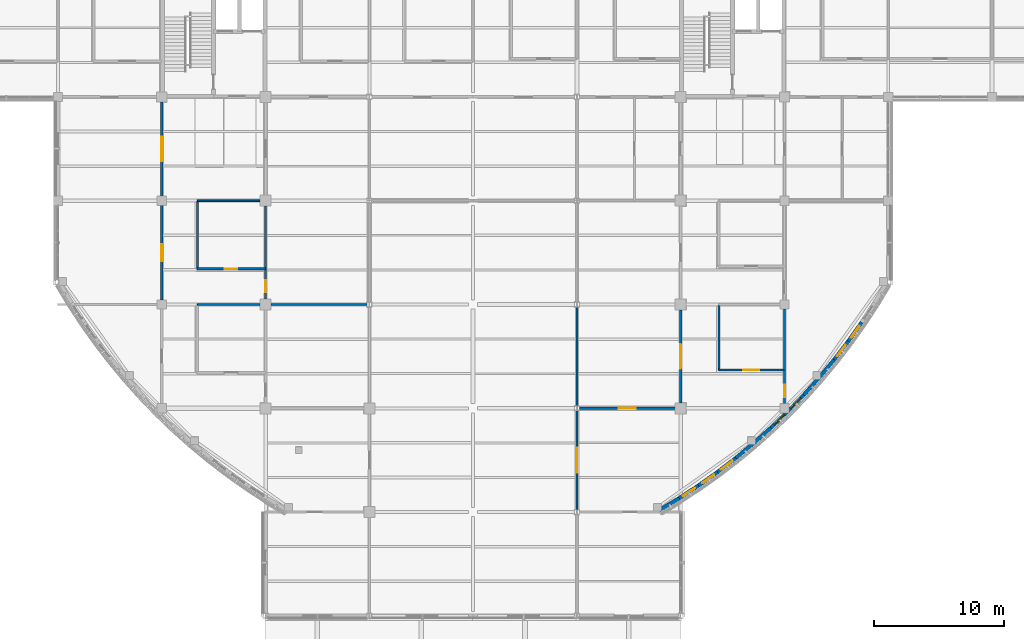
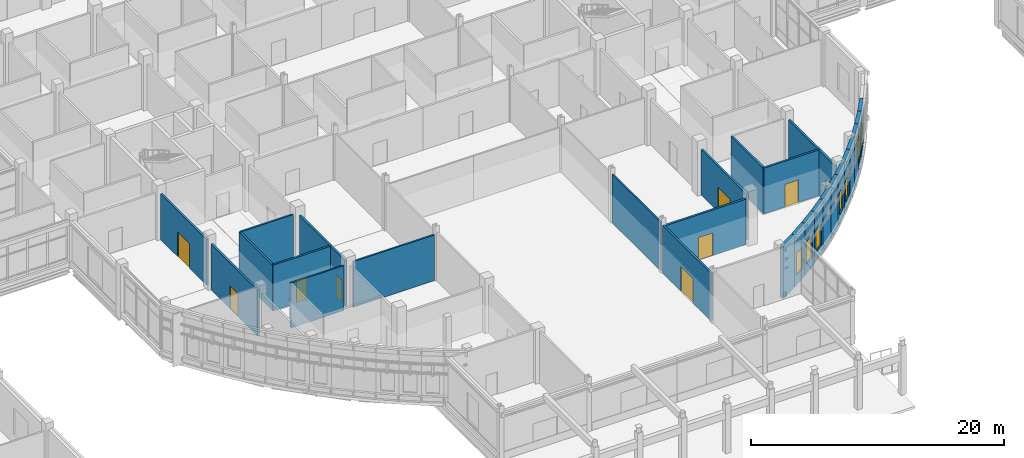
# One storey, part 64 of 105: 27 walls, 9 doors, 7 windows, 16 openings.
"""IFC4 building model written with IfcOpenShell, lengths in metres."""

import ifcopenshell
import ifcopenshell.guid

model = None  # the IFC model being written
_history = None  # IfcOwnerHistory: only IFC2X3 demands one
_inside = {}  # id of a spatial element -> (the spatial element, [elements in it])
_under = {}  # id of a project, library or spatial element -> (it, [spatial elements below it])
_declared = {}  # id of a project -> (the project, [libraries it declares])
_typed = {}  # id of a type object -> (the type object, [elements of that type])
_made_of = {}  # id of a material, layer set ... -> (it, [elements and type objects made of it])


def new_model(schema):
    """Start an empty IFC model of exactly this schema.

    Asked for "IFC4X3", IfcOpenShell would pick the latest addendum, in which some entities
    have other attributes; the version numbers below select the first issue.
    IFC2X3 requires an IfcOwnerHistory on every rooted entity: one is made here for all.
    """
    global model, _history
    if schema == "IFC4X3":
        model = ifcopenshell.file(schema_version=(4, 3, 0, 0))
    else:
        model = ifcopenshell.file(schema=schema)
    _inside.clear()
    _under.clear()
    _declared.clear()
    _typed.clear()
    _made_of.clear()
    _history = None
    if model.schema == "IFC2X3":
        org = make("IfcOrganization", Name="unknown")
        user = make(
            "IfcPersonAndOrganization",
            ThePerson=make("IfcPerson", FamilyName="unknown"),
            TheOrganization=org,
        )
        app = make(
            "IfcApplication",
            ApplicationDeveloper=org,
            Version="unknown",
            ApplicationFullName="unknown",
            ApplicationIdentifier="unknown",
        )
        _history = make(
            "IfcOwnerHistory",
            OwningUser=user,
            OwningApplication=app,
            ChangeAction="ADDED",
            CreationDate=0,
        )
    return model


def make(cls, **values):
    """One entity of the class cls with the attributes given. An attribute that is None is left unset."""
    return model.create_entity(
        cls, **{name: value for name, value in values.items() if value is not None}
    )


def rooted(cls, **values):
    """An entity with a GlobalId (a new one), such as an element, a storey or a relation."""
    return make(cls, GlobalId=ifcopenshell.guid.new(), OwnerHistory=_history, **values)


def si_unit(unit_type, name, prefix=None):
    """IfcSIUnit, for example si_unit("LENGTHUNIT", "METRE", prefix="MILLI")."""
    return make("IfcSIUnit", UnitType=unit_type, Prefix=prefix, Name=name)


def derived_unit(unit_type, elements):
    """IfcDerivedUnit: a product of units, each with its exponent."""
    return make(
        "IfcDerivedUnit",
        Elements=[
            make("IfcDerivedUnitElement", Unit=unit, Exponent=power)
            for unit, power in elements
        ],
        UnitType=unit_type,
    )


def assignment(units):
    """IfcUnitAssignment: the units of a project."""
    return None if units is None else make("IfcUnitAssignment", Units=units)


def point(xyz):
    """IfcCartesianPoint."""
    return None if xyz is None else make("IfcCartesianPoint", Coordinates=xyz)


def direction(xyz):
    """IfcDirection."""
    return None if xyz is None else make("IfcDirection", DirectionRatios=xyz)


def frame(location, z_axis=None, x_axis=None):
    """IfcAxis2Placement3D, a coordinate frame: its origin and axes. An axis left out is left unset."""
    return make(
        "IfcAxis2Placement3D",
        Location=point(location),
        Axis=direction(z_axis),
        RefDirection=direction(x_axis),
    )


def frame_2d(location, x_axis=None):
    """IfcAxis2Placement2D, a coordinate frame in the plane: its origin and x axis."""
    return make(
        "IfcAxis2Placement2D", Location=point(location), RefDirection=direction(x_axis)
    )


def origin():
    """The frame at (0, 0, 0) with its axes left unset."""
    return frame((0.0, 0.0, 0.0))


def place(relative_to, where):
    """IfcLocalPlacement: puts the frame where relative to a parent placement (None: the world)."""
    return make(
        "IfcLocalPlacement", PlacementRelTo=relative_to, RelativePlacement=where
    )


def context(
    kind, dimensions, precision=None, world=None, true_north=None, identifier=None
):
    """IfcGeometricRepresentationContext, for example the 3D "Model" context."""
    return make(
        "IfcGeometricRepresentationContext",
        ContextIdentifier=identifier,
        ContextType=kind,
        CoordinateSpaceDimension=dimensions,
        Precision=precision,
        WorldCoordinateSystem=world,
        TrueNorth=true_north,
    )


def subcontext(parent, identifier, kind, view, scale=None):
    """IfcGeometricRepresentationSubContext, for example "Body" below "Model"."""
    return make(
        "IfcGeometricRepresentationSubContext",
        ContextIdentifier=identifier,
        ContextType=kind,
        ParentContext=parent,
        TargetScale=scale,
        TargetView=view,
    )


def project(units=None, contexts=None):
    """IfcProject with its units and contexts."""
    return rooted(
        "IfcProject",
        Name="project",
        RepresentationContexts=contexts,
        UnitsInContext=assignment(units),
    )


def spatial(cls, under=None, at=None, **own):
    """A site, building, storey or space (cls), placed at a placement, below another one or the project."""
    s = rooted(cls, ObjectPlacement=at, **own)
    if under is not None:
        _under.setdefault(under.id(), (under, []))[1].append(s)
    return s


def profile(cls, at=None, kind="AREA", **sizes):
    """A parametric profile (cls). Its sizes go by their IFC names, for example OverallWidth=200.0."""
    return make(cls, ProfileType=kind, Position=at, **sizes)


def rectangle(**sizes):
    """IfcRectangleProfileDef."""
    return profile("IfcRectangleProfileDef", **sizes)


def extrude(swept, where, along, depth):
    """IfcExtrudedAreaSolid: the profile swept, set in the frame where, extruded along a direction by depth."""
    return make(
        "IfcExtrudedAreaSolid",
        SweptArea=swept,
        Position=where,
        ExtrudedDirection=direction(along),
        Depth=depth,
    )


def shape(context_of_items, identifier, shape_type, items):
    """IfcShapeRepresentation: the items that make up one representation, for example the "Body"."""
    return make(
        "IfcShapeRepresentation",
        ContextOfItems=context_of_items,
        RepresentationIdentifier=identifier,
        RepresentationType=shape_type,
        Items=items,
    )


def material(Name=None, Category=None):
    """IfcMaterial."""
    return make("IfcMaterial", Name=Name, Category=Category)


def layer(
    of_material, thickness, ventilated=None, Name=None, Category=None, Priority=None
):
    """IfcMaterialLayer: one layer of a wall or slab, of a material (None: an air gap)."""
    return make(
        "IfcMaterialLayer",
        Material=of_material,
        LayerThickness=thickness,
        IsVentilated=ventilated,
        Name=Name,
        Category=Category,
        Priority=Priority,
    )


def layer_set(layers, Name=None):
    """IfcMaterialLayerSet."""
    return make("IfcMaterialLayerSet", MaterialLayers=layers, LayerSetName=Name)


def made_of(thing, what):
    """Note that an element or type object is made of a material, layer set ...; save() writes the relation."""
    if what is not None:
        _made_of.setdefault(what.id(), (what, []))[1].append(thing)
    return thing


def type_object(cls, material=None, **own):
    """A type object (cls), such as IfcWallType, which elements share."""
    return made_of(rooted(cls, **own), material)


def element(
    cls,
    number,
    at=None,
    inside=None,
    cuts=None,
    type_object=None,
    material=None,
    context=None,
    identifier="Body",
    shape_type=None,
    held_by="IfcProductDefinitionShape",
    body=None,
    shapes=None,
    **own,
):
    """One element of the class cls, such as IfcWall. Its Tag is "e" and its number.

    at: its placement. inside: the storey or other place that contains it. cuts: it is an
    opening in that element (IfcRelVoidsElement). A single representation is given by context,
    identifier, shape_type and body (its items); several are given by shapes. held_by: the class
    of the entity that holds the representations. save() writes the other relations.
    """
    e = rooted(cls, Tag="e%d" % number, ObjectPlacement=at, **own)
    if body is not None:
        shapes = [shape(context, identifier, shape_type, body)]
    if shapes is not None:
        e.Representation = make(held_by, Representations=shapes)
    if inside is not None:
        _inside.setdefault(inside.id(), (inside, []))[1].append(e)
    if cuts is not None:
        rooted(
            "IfcRelVoidsElement", RelatingBuildingElement=cuts, RelatedOpeningElement=e
        )
    if type_object is not None:
        _typed.setdefault(type_object.id(), (type_object, []))[1].append(e)
    return made_of(e, material)


def fill(opening, filler):
    """IfcRelFillsElement: the door or window that sits in an opening."""
    return rooted(
        "IfcRelFillsElement",
        RelatingOpeningElement=opening,
        RelatedBuildingElement=filler,
    )


def aggregate(whole, parts):
    """IfcRelAggregates: a whole, such as a stair, and the parts it consists of."""
    return rooted("IfcRelAggregates", RelatingObject=whole, RelatedObjects=parts)


def save(model, path):
    """Write the relations noted so far, then the file.

    IfcRelAggregates (storeys below a building ...), IfcRelContainedInSpatialStructure (elements
    in a storey), IfcRelDefinesByType, IfcRelAssociatesMaterial and IfcRelDeclares: one each for
    every whole, place, type object, material and project.
    """
    for whole, parts in _under.values():
        aggregate(whole, parts)
    for where, things in _inside.values():
        rooted(
            "IfcRelContainedInSpatialStructure",
            RelatedElements=things,
            RelatingStructure=where,
        )
    for kind, things in _typed.values():
        rooted("IfcRelDefinesByType", RelatedObjects=things, RelatingType=kind)
    for what, things in _made_of.values():
        rooted("IfcRelAssociatesMaterial", RelatedObjects=things, RelatingMaterial=what)
    for by, libraries in _declared.values():
        rooted("IfcRelDeclares", RelatingContext=by, RelatedDefinitions=libraries)
    model.write(path)


model = new_model("IFC4")

# Units and contexts
model_context = context("Model", 3, precision=1e-05, world=origin(), true_north=direction((0.0, 1.0)))
body_context = subcontext(model_context, "Body", "Model", "MODEL_VIEW")
ifc_project = project(units=[si_unit("LENGTHUNIT", "METRE"), si_unit("AREAUNIT", "SQUARE_METRE"), si_unit("VOLUMEUNIT", "CUBIC_METRE"), si_unit("PLANEANGLEUNIT", "RADIAN"), si_unit("MASSUNIT", "GRAM", prefix="KILO"), derived_unit("THERMALTRANSMITTANCEUNIT", [(si_unit("MASSUNIT", "GRAM", prefix="KILO"), 1), (si_unit("TIMEUNIT", "SECOND"), -3), (si_unit("THERMODYNAMICTEMPERATUREUNIT", "KELVIN"), -1)])], contexts=[model_context])

# Site, building, storey
site_placement = place(None, origin())
site = spatial("IfcSite", under=ifc_project, at=site_placement, CompositionType="ELEMENT")
building_placement = place(site_placement, origin())
building = spatial("IfcBuilding", under=site, at=building_placement, Name="Veyamyaing Civic Hall", CompositionType="ELEMENT")
storey_placement = place(building_placement, origin())
storey = spatial("IfcBuildingStorey", under=building, at=storey_placement, Name="L00", CompositionType="ELEMENT", Elevation=0.0)

# Wall
ifc_material_1 = material(Name="Precast concrete C40/50", Category="concrete")
ifc_layer_1 = layer(ifc_material_1, 0.304931640625, Name="Precast concrete C40/50")
ifc_layer_set_1 = layer_set([ifc_layer_1], Name="Precast concrete C40/50")
wall_type_1 = type_object("IfcWallType", Name="WT-03", PredefinedType="SOLIDWALL", material=ifc_layer_set_1)
wall_1_placement = place(storey_placement, frame((102.350830078125, 16.1328125, 0.0), z_axis=(0.0, 0.0, 1.0), x_axis=(0.856543302071, 0.51607516088, 0.0)))
element("IfcWall", 1, at=wall_1_placement, inside=storey, type_object=wall_type_1, Name="Curved corner facade wall WT-03 L00 SE.1", PredefinedType="SOLIDWALL", context=body_context, shape_type="SweptSolid", body=[
    extrude(rectangle(XDim=1.794921875, YDim=0.304931640625, at=frame_2d((0.8974609375, 0.0))), origin(), (0.0, 0.0, 1.0), 5.034912109375),
])

# Wall, opening, window
wall_2_placement = place(storey_placement, frame((103.88330078125, 17.05615234375, 0.0), z_axis=(0.0, 0.0, 1.0), x_axis=(0.836686786408, 0.547681678944, 0.0)))
wall_2 = element("IfcWall", 2, at=wall_2_placement, inside=storey, type_object=wall_type_1, Name="Curved corner facade wall WT-03 L00 SE.2", PredefinedType="SOLIDWALL", context=body_context, shape_type="SweptSolid", body=[
    extrude(rectangle(XDim=1.795166015625, YDim=0.304931640625, at=frame_2d((0.8974609375, 0.0))), origin(), (0.0, 0.0, 1.0), 5.034912109375),
])
opening_1_placement = place(wall_2_placement, frame((0.347412109375, 0.0, 0.89990234375)))
opening_1 = element("IfcOpeningElement", 3, at=opening_1_placement, cuts=wall_2, Name="Opening W-15", PredefinedType="OPENING", context=body_context, shape_type="SweptSolid", body=[
    extrude(rectangle(XDim=1.10009765625, YDim=2.10009765625, at=frame_2d((0.550048828125, 1.050048828125))), frame((0.0, 0.162353515625, 0.0), z_axis=(0.0, -1.0, 0.0), x_axis=(1.0, 0.0, 0.0)), (0.0, 0.0, 1.0), 0.324951171875),
])
ifc_material_2 = material(Name="Low-E insulated glass", Category="glass")
window_type = type_object("IfcWindowType", Name="W-15", PartitioningType="SINGLE_PANEL", PredefinedType="WINDOW", material=ifc_material_2)
window_1_placement = place(opening_1_placement, origin())
window_1 = element("IfcWindow", 4, at=window_1_placement, inside=storey, type_object=window_type, Name="Curved ribbon window W-15 L00 SE.2", OverallHeight=2.10009765625, OverallWidth=1.10009765625, PartitioningType="SINGLE_PANEL", PredefinedType="WINDOW", context=body_context, shape_type="SweptSolid", body=[
    extrude(rectangle(XDim=1.10009765625, YDim=2.10009765625, at=frame_2d((0.550048828125, 1.050048828125))), frame((0.0, 0.030029296875, 0.0), z_axis=(0.0, -1.0, 0.0), x_axis=(1.0, 0.0, 0.0)), (0.0, 0.0, 1.0), 0.06005859375),
])
fill(opening_1, window_1)

wall_3_placement = place(storey_placement, frame((105.38037109375, 18.0361328125, 0.0), z_axis=(0.0, 0.0, 1.0), x_axis=(0.815567185578, 0.578662393636, 0.0)))
wall_3 = element("IfcWall", 5, at=wall_3_placement, inside=storey, type_object=wall_type_1, Name="Curved corner facade wall WT-03 L00 SE.3", PredefinedType="SOLIDWALL", context=body_context, shape_type="SweptSolid", body=[
    extrude(rectangle(XDim=1.795166015625, YDim=0.304931640625, at=frame_2d((0.8974609375, 0.0))), origin(), (0.0, 0.0, 1.0), 5.034912109375),
])
opening_2_placement = place(wall_3_placement, frame((0.34765625, 0.0, 0.89990234375)))
opening_2 = element("IfcOpeningElement", 6, at=opening_2_placement, cuts=wall_3, Name="Opening W-15", PredefinedType="OPENING", context=body_context, shape_type="SweptSolid", body=[
    extrude(rectangle(XDim=1.10009765625, YDim=2.10009765625, at=frame_2d((0.550048828125, 1.050048828125))), frame((0.0, 0.162353515625, 0.0), z_axis=(0.0, -1.0, 0.0), x_axis=(1.0, 0.0, 0.0)), (0.0, 0.0, 1.0), 0.324951171875),
])
window_2_placement = place(opening_2_placement, origin())
window_2 = element("IfcWindow", 7, at=window_2_placement, inside=storey, type_object=window_type, Name="Curved ribbon window W-15 L00 SE.3", OverallHeight=2.10009765625, OverallWidth=1.10009765625, PartitioningType="SINGLE_PANEL", PredefinedType="WINDOW", context=body_context, shape_type="SweptSolid", body=[
    extrude(rectangle(XDim=1.10009765625, YDim=2.10009765625, at=frame_2d((0.550048828125, 1.050048828125))), frame((0.0, 0.030029296875, 0.0), z_axis=(0.0, -1.0, 0.0), x_axis=(1.0, 0.0, 0.0)), (0.0, 0.0, 1.0), 0.06005859375),
])
fill(opening_2, window_2)

wall_4_placement = place(storey_placement, frame((106.83984375, 19.071533203125, 0.0), z_axis=(0.0, 0.0, 1.0), x_axis=(0.793341406114, 0.608776981616, 0.0)))
wall_4 = element("IfcWall", 8, at=wall_4_placement, inside=storey, type_object=wall_type_1, Name="Curved corner facade wall WT-03 L00 SE.4", PredefinedType="SOLIDWALL", context=body_context, shape_type="SweptSolid", body=[
    extrude(rectangle(XDim=1.794921875, YDim=0.304931640625, at=frame_2d((0.8974609375, 0.0))), origin(), (0.0, 0.0, 1.0), 5.034912109375),
])
opening_3_placement = place(wall_4_placement, frame((0.347412109375, 0.0, 0.89990234375)))
opening_3 = element("IfcOpeningElement", 9, at=opening_3_placement, cuts=wall_4, Name="Opening W-15", PredefinedType="OPENING", context=body_context, shape_type="SweptSolid", body=[
    extrude(rectangle(XDim=1.10009765625, YDim=2.10009765625, at=frame_2d((0.550048828125, 1.050048828125))), frame((0.0, 0.162353515625, 0.0), z_axis=(0.0, -1.0, 0.0), x_axis=(1.0, 0.0, 0.0)), (0.0, 0.0, 1.0), 0.324951171875),
])
window_3_placement = place(opening_3_placement, origin())
window_3 = element("IfcWindow", 10, at=window_3_placement, inside=storey, type_object=window_type, Name="Curved ribbon window W-15 L00 SE.4", OverallHeight=2.10009765625, OverallWidth=1.10009765625, PartitioningType="SINGLE_PANEL", PredefinedType="WINDOW", context=body_context, shape_type="SweptSolid", body=[
    extrude(rectangle(XDim=1.10009765625, YDim=2.10009765625, at=frame_2d((0.550048828125, 1.050048828125))), frame((0.0, 0.030029296875, 0.0), z_axis=(0.0, -1.0, 0.0), x_axis=(1.0, 0.0, 0.0)), (0.0, 0.0, 1.0), 0.06005859375),
])
fill(opening_3, window_3)

# Walls
wall_5_placement = place(storey_placement, frame((108.259521484375, 20.16064453125, 0.0), z_axis=(0.0, 0.0, 1.0), x_axis=(0.769991012207, 0.638054732073, 0.0)))
element("IfcWall", 11, at=wall_5_placement, inside=storey, type_object=wall_type_1, Name="Curved corner facade wall WT-03 L00 SE.5", PredefinedType="SOLIDWALL", context=body_context, shape_type="SweptSolid", body=[
    extrude(rectangle(XDim=1.794921875, YDim=0.304931640625, at=frame_2d((0.8974609375, 0.0))), origin(), (0.0, 0.0, 1.0), 5.034912109375),
])
wall_6_placement = place(storey_placement, frame((109.63720703125, 21.30224609375, 0.0), z_axis=(0.0, 0.0, 1.0), x_axis=(0.745703543965, 0.666277888361, 0.0)))
element("IfcWall", 12, at=wall_6_placement, inside=storey, type_object=wall_type_1, Name="Curved corner facade wall WT-03 L00 SE.6", PredefinedType="SOLIDWALL", context=body_context, shape_type="SweptSolid", body=[
    extrude(rectangle(XDim=1.795166015625, YDim=0.304931640625, at=frame_2d((0.8974609375, 0.0))), origin(), (0.0, 0.0, 1.0), 5.034912109375),
])

# Wall, opening, window
wall_7_placement = place(storey_placement, frame((110.971435546875, 22.494384765625, 0.0), z_axis=(0.0, 0.0, 1.0), x_axis=(0.720242191926, 0.693722700342, 0.0)))
wall_7 = element("IfcWall", 13, at=wall_7_placement, inside=storey, type_object=wall_type_1, Name="Curved corner facade wall WT-03 L00 SE.7", PredefinedType="SOLIDWALL", context=body_context, shape_type="SweptSolid", body=[
    extrude(rectangle(XDim=1.795166015625, YDim=0.304931640625, at=frame_2d((0.8974609375, 0.0))), origin(), (0.0, 0.0, 1.0), 5.034912109375),
])
opening_4_placement = place(wall_7_placement, frame((0.347412109375, 0.0, 0.89990234375)))
opening_4 = element("IfcOpeningElement", 14, at=opening_4_placement, cuts=wall_7, Name="Opening W-15", PredefinedType="OPENING", context=body_context, shape_type="SweptSolid", body=[
    extrude(rectangle(XDim=1.10009765625, YDim=2.10009765625, at=frame_2d((0.550048828125, 1.050048828125))), frame((0.0, 0.162353515625, 0.0), z_axis=(0.0, -1.0, 0.0), x_axis=(1.0, 0.0, 0.0)), (0.0, 0.0, 1.0), 0.324951171875),
])
window_4_placement = place(opening_4_placement, origin())
window_4 = element("IfcWindow", 15, at=window_4_placement, inside=storey, type_object=window_type, Name="Curved ribbon window W-15 L00 SE.7", OverallHeight=2.10009765625, OverallWidth=1.10009765625, PartitioningType="SINGLE_PANEL", PredefinedType="WINDOW", context=body_context, shape_type="SweptSolid", body=[
    extrude(rectangle(XDim=1.10009765625, YDim=2.10009765625, at=frame_2d((0.550048828125, 1.050048828125))), frame((0.0, 0.030029296875, 0.0), z_axis=(0.0, -1.0, 0.0), x_axis=(1.0, 0.0, 0.0)), (0.0, 0.0, 1.0), 0.06005859375),
])
fill(opening_4, window_4)

wall_8_placement = place(storey_placement, frame((112.26025390625, 23.735595703125, 0.0), z_axis=(0.0, 0.0, 1.0), x_axis=(0.693722700342, 0.720242191926, 0.0)))
wall_8 = element("IfcWall", 16, at=wall_8_placement, inside=storey, type_object=wall_type_1, Name="Curved corner facade wall WT-03 L00 SE.8", PredefinedType="SOLIDWALL", context=body_context, shape_type="SweptSolid", body=[
    extrude(rectangle(XDim=1.795166015625, YDim=0.304931640625, at=frame_2d((0.8974609375, 0.0))), origin(), (0.0, 0.0, 1.0), 5.034912109375),
])
opening_5_placement = place(wall_8_placement, frame((0.347412109375, 0.0, 0.89990234375)))
opening_5 = element("IfcOpeningElement", 17, at=opening_5_placement, cuts=wall_8, Name="Opening W-15", PredefinedType="OPENING", context=body_context, shape_type="SweptSolid", body=[
    extrude(rectangle(XDim=1.10009765625, YDim=2.10009765625, at=frame_2d((0.550048828125, 1.050048828125))), frame((0.0, 0.162353515625, 0.0), z_axis=(0.0, -1.0, 0.0), x_axis=(1.0, 0.0, 0.0)), (0.0, 0.0, 1.0), 0.324951171875),
])
window_5_placement = place(opening_5_placement, origin())
window_5 = element("IfcWindow", 18, at=window_5_placement, inside=storey, type_object=window_type, Name="Curved ribbon window W-15 L00 SE.8", OverallHeight=2.10009765625, OverallWidth=1.10009765625, PartitioningType="SINGLE_PANEL", PredefinedType="WINDOW", context=body_context, shape_type="SweptSolid", body=[
    extrude(rectangle(XDim=1.10009765625, YDim=2.10009765625, at=frame_2d((0.550048828125, 1.050048828125))), frame((0.0, 0.030029296875, 0.0), z_axis=(0.0, -1.0, 0.0), x_axis=(1.0, 0.0, 0.0)), (0.0, 0.0, 1.0), 0.06005859375),
])
fill(opening_5, window_5)

# Walls
wall_9_placement = place(storey_placement, frame((113.501708984375, 25.024169921875, 0.0), z_axis=(0.0, 0.0, 1.0), x_axis=(0.666277888361, 0.745703543965, 0.0)))
element("IfcWall", 19, at=wall_9_placement, inside=storey, type_object=wall_type_1, Name="Curved corner facade wall WT-03 L00 SE.9", PredefinedType="SOLIDWALL", context=body_context, shape_type="SweptSolid", body=[
    extrude(rectangle(XDim=1.795166015625, YDim=0.304931640625, at=frame_2d((0.8974609375, 0.0))), origin(), (0.0, 0.0, 1.0), 5.034912109375),
])
wall_10_placement = place(storey_placement, frame((114.694091796875, 26.3583984375, 0.0), z_axis=(0.0, 0.0, 1.0), x_axis=(0.638054732073, 0.769991012207, 0.0)))
element("IfcWall", 20, at=wall_10_placement, inside=storey, type_object=wall_type_1, Name="Curved corner facade wall WT-03 L00 SE.10", PredefinedType="SOLIDWALL", context=body_context, shape_type="SweptSolid", body=[
    extrude(rectangle(XDim=1.794921875, YDim=0.304931640625, at=frame_2d((0.8974609375, 0.0))), origin(), (0.0, 0.0, 1.0), 5.034912109375),
])

# Wall, opening, window
wall_11_placement = place(storey_placement, frame((115.835693359375, 27.736083984375, 0.0), z_axis=(0.0, 0.0, 1.0), x_axis=(0.608776981616, 0.793341406114, 0.0)))
wall_11 = element("IfcWall", 21, at=wall_11_placement, inside=storey, type_object=wall_type_1, Name="Curved corner facade wall WT-03 L00 SE.11", PredefinedType="SOLIDWALL", context=body_context, shape_type="SweptSolid", body=[
    extrude(rectangle(XDim=1.794921875, YDim=0.304931640625, at=frame_2d((0.8974609375, 0.0))), origin(), (0.0, 0.0, 1.0), 5.034912109375),
])
opening_6_placement = place(wall_11_placement, frame((0.347412109375, 0.0, 0.89990234375)))
opening_6 = element("IfcOpeningElement", 22, at=opening_6_placement, cuts=wall_11, Name="Opening W-15", PredefinedType="OPENING", context=body_context, shape_type="SweptSolid", body=[
    extrude(rectangle(XDim=1.10009765625, YDim=2.10009765625, at=frame_2d((0.550048828125, 1.050048828125))), frame((0.0, 0.162353515625, 0.0), z_axis=(0.0, -1.0, 0.0), x_axis=(1.0, 0.0, 0.0)), (0.0, 0.0, 1.0), 0.324951171875),
])
window_6_placement = place(opening_6_placement, origin())
window_6 = element("IfcWindow", 23, at=window_6_placement, inside=storey, type_object=window_type, Name="Curved ribbon window W-15 L00 SE.11", OverallHeight=2.10009765625, OverallWidth=1.10009765625, PartitioningType="SINGLE_PANEL", PredefinedType="WINDOW", context=body_context, shape_type="SweptSolid", body=[
    extrude(rectangle(XDim=1.10009765625, YDim=2.10009765625, at=frame_2d((0.550048828125, 1.050048828125))), frame((0.0, 0.030029296875, 0.0), z_axis=(0.0, -1.0, 0.0), x_axis=(1.0, 0.0, 0.0)), (0.0, 0.0, 1.0), 0.06005859375),
])
fill(opening_6, window_6)

wall_12_placement = place(storey_placement, frame((116.925048828125, 29.155517578125, 0.0), z_axis=(0.0, 0.0, 1.0), x_axis=(0.578662393636, 0.815567185578, 0.0)))
wall_12 = element("IfcWall", 24, at=wall_12_placement, inside=storey, type_object=wall_type_1, Name="Curved corner facade wall WT-03 L00 SE.12", PredefinedType="SOLIDWALL", context=body_context, shape_type="SweptSolid", body=[
    extrude(rectangle(XDim=1.795166015625, YDim=0.304931640625, at=frame_2d((0.8974609375, 0.0))), origin(), (0.0, 0.0, 1.0), 5.034912109375),
])
opening_7_placement = place(wall_12_placement, frame((0.34765625, 0.0, 0.89990234375)))
opening_7 = element("IfcOpeningElement", 25, at=opening_7_placement, cuts=wall_12, Name="Opening W-15", PredefinedType="OPENING", context=body_context, shape_type="SweptSolid", body=[
    extrude(rectangle(XDim=1.10009765625, YDim=2.10009765625, at=frame_2d((0.550048828125, 1.050048828125))), frame((0.0, 0.162353515625, 0.0), z_axis=(0.0, -1.0, 0.0), x_axis=(1.0, 0.0, 0.0)), (0.0, 0.0, 1.0), 0.324951171875),
])
window_7_placement = place(opening_7_placement, origin())
window_7 = element("IfcWindow", 26, at=window_7_placement, inside=storey, type_object=window_type, Name="Curved ribbon window W-15 L00 SE.12", OverallHeight=2.10009765625, OverallWidth=1.10009765625, PartitioningType="SINGLE_PANEL", PredefinedType="WINDOW", context=body_context, shape_type="SweptSolid", body=[
    extrude(rectangle(XDim=1.10009765625, YDim=2.10009765625, at=frame_2d((0.550048828125, 1.050048828125))), frame((0.0, 0.030029296875, 0.0), z_axis=(0.0, -1.0, 0.0), x_axis=(1.0, 0.0, 0.0)), (0.0, 0.0, 1.0), 0.06005859375),
])
fill(opening_7, window_7)

# Wall, opening, door
ifc_material_3 = material(Name="Gypsum board on acoustic steel stud", Category="steel")
ifc_layer_2 = layer(ifc_material_3, 0.175048828125, Name="Gypsum board on acoustic steel stud")
ifc_layer_set_2 = layer_set([ifc_layer_2], Name="Gypsum board on acoustic steel stud")
wall_type_2 = type_object("IfcWallType", Name="WT-07", PredefinedType="PARTITIONING", material=ifc_layer_set_2)
wall_13_placement = place(storey_placement, frame((66.699951171875, 34.75, 0.0), z_axis=(0.0, 0.0, 1.0), x_axis=(1.0, 0.0, 0.0)))
wall_13 = element("IfcWall", 27, at=wall_13_placement, inside=storey, type_object=wall_type_2, Name="Corridor gallery partition WT-07 L00.31.1", PredefinedType="PARTITIONING", context=body_context, shape_type="SweptSolid", body=[
    extrude(rectangle(XDim=5.280029296875, YDim=0.175048828125, at=frame_2d((2.64013671875, 0.0))), origin(), (0.0, 0.0, 1.0), 4.412109375),
])
opening_8_placement = place(wall_13_placement, frame((2.14990234375, 0.0, 0.0)))
opening_8 = element("IfcOpeningElement", 28, at=opening_8_placement, cuts=wall_13, Name="Opening D-14", PredefinedType="OPENING", context=body_context, shape_type="SweptSolid", body=[
    extrude(rectangle(XDim=0.97998046875, YDim=2.14990234375, at=frame_2d((0.489990234375, 1.074951171875))), frame((0.0, 0.097412109375, 0.0), z_axis=(0.0, -1.0, 0.0), x_axis=(1.0, 0.0, 0.0)), (0.0, 0.0, 1.0), 0.195068359375),
])
ifc_material_4 = material(Name="Teak-veneered acoustic timber", Category="wood")
door_type_1 = type_object("IfcDoorType", Name="D-14", OperationType="NOTDEFINED", PredefinedType="DOOR", material=ifc_material_4)
door_1_placement = place(opening_8_placement, origin())
door_1 = element("IfcDoor", 29, at=door_1_placement, inside=storey, type_object=door_type_1, Name="Gallery office door D-14 L00.31", OperationType="SINGLE_SWING_RIGHT", OverallHeight=2.14990234375, OverallWidth=0.97998046875, PredefinedType="DOOR", context=body_context, shape_type="SweptSolid", body=[
    extrude(rectangle(XDim=0.97998046875, YDim=2.14990234375, at=frame_2d((0.489990234375, 1.074951171875))), frame((0.0, 0.02490234375, 0.0), z_axis=(0.0, -1.0, 0.0), x_axis=(1.0, 0.0, 0.0)), (0.0, 0.0, 1.0), 0.050048828125),
])
fill(opening_8, door_1)

# Wall
wall_14_placement = place(storey_placement, frame((66.75, 34.699951171875, 0.0), z_axis=(0.0, 0.0, 1.0), x_axis=(0.0, 1.0, 0.0)))
element("IfcWall", 30, at=wall_14_placement, inside=storey, type_object=wall_type_2, Name="Corridor gallery partition WT-07 L00.31.2", PredefinedType="PARTITIONING", context=body_context, shape_type="SweptSolid", body=[
    extrude(rectangle(XDim=5.280029296875, YDim=0.175048828125, at=frame_2d((2.64013671875, 0.0))), origin(), (0.0, 0.0, 1.0), 4.403076171875),
])

# Wall, opening, door
wall_15_placement = place(storey_placement, frame((106.89990234375, 26.949951171875, 0.0), z_axis=(0.0, 0.0, 1.0), x_axis=(1.0, 0.0, 0.0)))
wall_15 = element("IfcWall", 31, at=wall_15_placement, inside=storey, type_object=wall_type_2, Name="Corridor gallery partition WT-07 L00.47.1", PredefinedType="PARTITIONING", context=body_context, shape_type="SweptSolid", body=[
    extrude(rectangle(XDim=5.080078125, YDim=0.175048828125, at=frame_2d((2.5400390625, 0.0))), origin(), (0.0, 0.0, 1.0), 4.412109375),
])
opening_9_placement = place(wall_15_placement, frame((1.9150390625, 0.0, 0.0)))
opening_9 = element("IfcOpeningElement", 32, at=opening_9_placement, cuts=wall_15, Name="Opening D-29", PredefinedType="OPENING", context=body_context, shape_type="SweptSolid", body=[
    extrude(rectangle(XDim=1.25, YDim=2.179931640625, at=frame_2d((0.625, 1.08984375))), frame((0.0, 0.097412109375, 0.0), z_axis=(0.0, -1.0, 0.0), x_axis=(1.0, 0.0, 0.0)), (0.0, 0.0, 1.0), 0.195068359375),
])
door_type_2 = type_object("IfcDoorType", Name="D-29", OperationType="NOTDEFINED", PredefinedType="DOOR", material=ifc_material_4)
door_2_placement = place(opening_9_placement, origin())
door_2 = element("IfcDoor", 33, at=door_2_placement, inside=storey, type_object=door_type_2, Name="Gallery office door D-29 L00.47", OperationType="SINGLE_SWING_RIGHT", OverallHeight=2.179931640625, OverallWidth=1.25, PredefinedType="DOOR", context=body_context, shape_type="SweptSolid", body=[
    extrude(rectangle(XDim=1.25, YDim=2.179931640625, at=frame_2d((0.625, 1.08984375))), frame((0.0, 0.02490234375, 0.0), z_axis=(0.0, -1.0, 0.0), x_axis=(1.0, 0.0, 0.0)), (0.0, 0.0, 1.0), 0.050048828125),
])
fill(opening_9, door_2)

# Wall
wall_16_placement = place(storey_placement, frame((106.949951171875, 26.89990234375, 0.0), z_axis=(0.0, 0.0, 1.0), x_axis=(0.0, 1.0, 0.0)))
element("IfcWall", 34, at=wall_16_placement, inside=storey, type_object=wall_type_2, Name="Corridor gallery partition WT-07 L00.47.2", PredefinedType="PARTITIONING", context=body_context, shape_type="SweptSolid", body=[
    extrude(rectangle(XDim=5.080078125, YDim=0.175048828125, at=frame_2d((2.5400390625, 0.0))), origin(), (0.0, 0.0, 1.0), 4.403076171875),
])

# Wall, opening, door
wall_17_placement = place(storey_placement, frame((64.0, 40.340087890625, 0.0), z_axis=(0.0, 0.0, 1.0), x_axis=(0.0, 1.0, 0.0)))
wall_17 = element("IfcWall", 35, at=wall_17_placement, inside=storey, type_object=wall_type_2, Name="Interior partition wall WT-07 L00.43", PredefinedType="PARTITIONING", context=body_context, shape_type="SweptSolid", body=[
    extrude(rectangle(XDim=7.27001953125, YDim=0.175048828125, at=frame_2d((3.635009765625, 0.0))), origin(), (0.0, 0.0, 1.0), 4.412109375),
])
opening_10_placement = place(wall_17_placement, frame((2.68505859375, 0.0, 0.0)))
opening_10 = element("IfcOpeningElement", 36, at=opening_10_placement, cuts=wall_17, Name="Opening D-31", PredefinedType="OPENING", context=body_context, shape_type="SweptSolid", body=[
    extrude(rectangle(XDim=1.89990234375, YDim=2.3798828125, at=frame_2d((0.949951171875, 1.18994140625))), frame((0.0, 0.097412109375, 0.0), z_axis=(0.0, -1.0, 0.0), x_axis=(1.0, 0.0, 0.0)), (0.0, 0.0, 1.0), 0.195068359375),
])
door_type_3 = type_object("IfcDoorType", Name="D-31", OperationType="DOUBLE_DOOR_SINGLE_SWING", PredefinedType="DOOR", material=ifc_material_4)
door_3_placement = place(opening_10_placement, origin())
door_3 = element("IfcDoor", 37, at=door_3_placement, inside=storey, type_object=door_type_3, Name="Interior door D-31 L00.43", OperationType="DOUBLE_DOOR_SINGLE_SWING", OverallHeight=2.3798828125, OverallWidth=1.89990234375, PredefinedType="DOOR", context=body_context, shape_type="SweptSolid", body=[
    extrude(rectangle(XDim=1.89990234375, YDim=2.3798828125, at=frame_2d((0.949951171875, 1.18994140625))), frame((0.0, 0.02490234375, 0.0), z_axis=(0.0, -1.0, 0.0), x_axis=(1.0, 0.0, 0.0)), (0.0, 0.0, 1.0), 0.050048828125),
])
fill(opening_10, door_3)

wall_18_placement = place(storey_placement, frame((72.0, 32.4150390625, 0.0), z_axis=(0.0, 0.0, 1.0), x_axis=(0.0, 1.0, 0.0)))
wall_18 = element("IfcWall", 38, at=wall_18_placement, inside=storey, type_object=wall_type_2, Name="Interior partition wall WT-07 L00.51", PredefinedType="PARTITIONING", context=body_context, shape_type="SweptSolid", body=[
    extrude(rectangle(XDim=7.169921875, YDim=0.175048828125, at=frame_2d((3.5849609375, 0.0))), origin(), (0.0, 0.0, 1.0), 4.412109375),
])
opening_11_placement = place(wall_18_placement, frame((0.52001953125, 0.0, 0.0)))
opening_11 = element("IfcOpeningElement", 39, at=opening_11_placement, cuts=wall_18, Name="Opening D-30", PredefinedType="OPENING", context=body_context, shape_type="SweptSolid", body=[
    extrude(rectangle(XDim=0.93994140625, YDim=2.1201171875, at=frame_2d((0.469970703125, 1.06005859375))), frame((0.0, 0.097412109375, 0.0), z_axis=(0.0, -1.0, 0.0), x_axis=(1.0, 0.0, 0.0)), (0.0, 0.0, 1.0), 0.195068359375),
])
door_type_4 = type_object("IfcDoorType", Name="D-30", OperationType="NOTDEFINED", PredefinedType="DOOR", material=ifc_material_4)
door_4_placement = place(opening_11_placement, frame((0.93994140625, 0.0, 0.0), z_axis=(0.0, 0.0, 1.0), x_axis=(-1.0, 0.0, 0.0)))
door_4 = element("IfcDoor", 40, at=door_4_placement, inside=storey, type_object=door_type_4, Name="Interior door D-30 L00.51", OperationType="SINGLE_SWING_LEFT", OverallHeight=2.1201171875, OverallWidth=0.93994140625, PredefinedType="DOOR", context=body_context, shape_type="SweptSolid", body=[
    extrude(rectangle(XDim=0.93994140625, YDim=2.1201171875, at=frame_2d((0.469970703125, 1.06005859375))), frame((0.0, 0.02490234375, 0.0), z_axis=(0.0, -1.0, 0.0), x_axis=(1.0, 0.0, 0.0)), (0.0, 0.0, 1.0), 0.050048828125),
])
fill(opening_11, door_4)

wall_19_placement = place(storey_placement, frame((96.0, 16.18359375, 0.0), z_axis=(0.0, 0.0, 1.0), x_axis=(0.0, 1.0, 0.0)))
wall_19 = element("IfcWall", 41, at=wall_19_placement, inside=storey, type_object=wall_type_2, Name="Interior partition wall WT-07 L00.83", PredefinedType="PARTITIONING", context=body_context, shape_type="SweptSolid", body=[
    extrude(rectangle(XDim=7.6328125, YDim=0.175048828125, at=frame_2d((3.81640625, 0.0))), origin(), (0.0, 0.0, 1.0), 4.60693359375),
])
opening_12_placement = place(wall_19_placement, frame((2.866455078125, 0.0, 0.0)))
opening_12 = element("IfcOpeningElement", 42, at=opening_12_placement, cuts=wall_19, Name="Opening D-31", PredefinedType="OPENING", context=body_context, shape_type="SweptSolid", body=[
    extrude(rectangle(XDim=1.89990234375, YDim=2.3798828125, at=frame_2d((0.949951171875, 1.18994140625))), frame((0.0, 0.097412109375, 0.0), z_axis=(0.0, -1.0, 0.0), x_axis=(1.0, 0.0, 0.0)), (0.0, 0.0, 1.0), 0.195068359375),
])
door_5_placement = place(opening_12_placement, origin())
door_5 = element("IfcDoor", 43, at=door_5_placement, inside=storey, type_object=door_type_3, Name="Interior door D-31 L00.83", OperationType="DOUBLE_DOOR_SINGLE_SWING", OverallHeight=2.3798828125, OverallWidth=1.89990234375, PredefinedType="DOOR", context=body_context, shape_type="SweptSolid", body=[
    extrude(rectangle(XDim=1.89990234375, YDim=2.3798828125, at=frame_2d((0.949951171875, 1.18994140625))), frame((0.0, 0.02490234375, 0.0), z_axis=(0.0, -1.0, 0.0), x_axis=(1.0, 0.0, 0.0)), (0.0, 0.0, 1.0), 0.050048828125),
])
fill(opening_12, door_5)

wall_20_placement = place(storey_placement, frame((104.0, 24.4150390625, 0.0), z_axis=(0.0, 0.0, 1.0), x_axis=(0.0, 1.0, 0.0)))
wall_20 = element("IfcWall", 44, at=wall_20_placement, inside=storey, type_object=wall_type_2, Name="Interior partition wall WT-07 L00.97", PredefinedType="PARTITIONING", context=body_context, shape_type="SweptSolid", body=[
    extrude(rectangle(XDim=7.169921875, YDim=0.175048828125, at=frame_2d((3.5849609375, 0.0))), origin(), (0.0, 0.0, 1.0), 4.403076171875),
])
opening_13_placement = place(wall_20_placement, frame((2.635009765625, 0.0, 0.0)))
opening_13 = element("IfcOpeningElement", 45, at=opening_13_placement, cuts=wall_20, Name="Opening D-31", PredefinedType="OPENING", context=body_context, shape_type="SweptSolid", body=[
    extrude(rectangle(XDim=1.89990234375, YDim=2.3798828125, at=frame_2d((0.949951171875, 1.18994140625))), frame((0.0, 0.097412109375, 0.0), z_axis=(0.0, -1.0, 0.0), x_axis=(1.0, 0.0, 0.0)), (0.0, 0.0, 1.0), 0.195068359375),
])
door_6_placement = place(opening_13_placement, origin())
door_6 = element("IfcDoor", 46, at=door_6_placement, inside=storey, type_object=door_type_3, Name="Interior door D-31 L00.97", OperationType="DOUBLE_DOOR_SINGLE_SWING", OverallHeight=2.3798828125, OverallWidth=1.89990234375, PredefinedType="DOOR", context=body_context, shape_type="SweptSolid", body=[
    extrude(rectangle(XDim=1.89990234375, YDim=2.3798828125, at=frame_2d((0.949951171875, 1.18994140625))), frame((0.0, 0.02490234375, 0.0), z_axis=(0.0, -1.0, 0.0), x_axis=(1.0, 0.0, 0.0)), (0.0, 0.0, 1.0), 0.050048828125),
])
fill(opening_13, door_6)

# Walls
ifc_material_5 = material(Name="Gypsum board on steel stud", Category="steel")
ifc_layer_3 = layer(ifc_material_5, 0.14990234375, Name="Gypsum board on steel stud")
ifc_layer_set_3 = layer_set([ifc_layer_3], Name="Gypsum board on steel stud")
wall_type_3 = type_object("IfcWallType", Name="WT-08", PredefinedType="PARTITIONING", material=ifc_layer_set_3)
wall_21_placement = place(storey_placement, frame((66.75, 32.0, 0.0), z_axis=(0.0, 0.0, 1.0), x_axis=(1.0, 0.0, 0.0)))
element("IfcWall", 47, at=wall_21_placement, inside=storey, type_object=wall_type_3, Name="Gallery office end partition WT-08 L00.30.1", PredefinedType="PARTITIONING", context=body_context, shape_type="SweptSolid", body=[
    extrude(rectangle(XDim=4.81494140625, YDim=0.14990234375, at=frame_2d((2.407470703125, 0.0))), origin(), (0.0, 0.0, 1.0), 4.326904296875),
])
wall_22_placement = place(storey_placement, frame((66.75, 40.0, 0.0), z_axis=(0.0, 0.0, 1.0), x_axis=(1.0, 0.0, 0.0)))
element("IfcWall", 48, at=wall_22_placement, inside=storey, type_object=wall_type_3, Name="Gallery office end partition WT-08 L00.31.1", PredefinedType="PARTITIONING", context=body_context, shape_type="SweptSolid", body=[
    extrude(rectangle(XDim=4.81494140625, YDim=0.14990234375, at=frame_2d((2.407470703125, 0.0))), origin(), (0.0, 0.0, 1.0), 4.403076171875),
])
wall_23_placement = place(storey_placement, frame((72.4150390625, 32.0, 0.0), z_axis=(0.0, 0.0, 1.0), x_axis=(1.0, 0.0, 0.0)))
element("IfcWall", 49, at=wall_23_placement, inside=storey, type_object=wall_type_3, Name="Interior partition wall WT-08 L00.63", PredefinedType="PARTITIONING", context=body_context, shape_type="SweptSolid", body=[
    extrude(rectangle(XDim=7.39599609375, YDim=0.14990234375, at=frame_2d((3.697998046875, 0.0))), origin(), (0.0, 0.0, 1.0), 4.403076171875),
])
ifc_layer_4 = layer(ifc_material_5, 0.135009765625, Name="Gypsum board on steel stud")
ifc_layer_set_4 = layer_set([ifc_layer_4], Name="Gypsum board on steel stud")
wall_type_4 = type_object("IfcWallType", Name="WT-15", PredefinedType="PARTITIONING", material=ifc_layer_set_4)
wall_24_placement = place(storey_placement, frame((96.0, 24.18359375, 0.0), z_axis=(0.0, 0.0, 1.0), x_axis=(0.0, 1.0, 0.0)))
element("IfcWall", 50, at=wall_24_placement, inside=storey, type_object=wall_type_4, Name="Interior partition wall WT-15 L00.84", PredefinedType="PARTITIONING", context=body_context, shape_type="SweptSolid", body=[
    extrude(rectangle(XDim=7.6328125, YDim=0.135009765625, at=frame_2d((3.81640625, 0.0))), origin(), (0.0, 0.0, 1.0), 4.669921875),
])

# Wall, opening, door
ifc_material_6 = material(Name="Gypsum board on double acoustic stud")
ifc_layer_5 = layer(ifc_material_6, 0.18505859375, Name="Gypsum board on double acoustic stud")
ifc_layer_set_5 = layer_set([ifc_layer_5], Name="Gypsum board on double acoustic stud")
wall_type_5 = type_object("IfcWallType", Name="WT-19", PredefinedType="PARTITIONING", material=ifc_layer_set_5)
wall_25_placement = place(storey_placement, frame((64.0, 32.340087890625, 0.0), z_axis=(0.0, 0.0, 1.0), x_axis=(0.0, 1.0, 0.0)))
wall_25 = element("IfcWall", 51, at=wall_25_placement, inside=storey, type_object=wall_type_5, Name="Interior partition wall WT-19 L00.42", PredefinedType="PARTITIONING", context=body_context, shape_type="SweptSolid", body=[
    extrude(rectangle(XDim=7.31982421875, YDim=0.18505859375, at=frame_2d((3.659912109375, 0.0))), origin(), (0.0, 0.0, 1.0), 4.403076171875),
])
opening_14_placement = place(wall_25_placement, frame((3.010009765625, 0.0, 0.0)))
opening_14 = element("IfcOpeningElement", 52, at=opening_14_placement, cuts=wall_25, Name="Opening D-18", PredefinedType="OPENING", context=body_context, shape_type="SweptSolid", body=[
    extrude(rectangle(XDim=1.300048828125, YDim=2.199951171875, at=frame_2d((0.64990234375, 1.10009765625))), frame((0.0, 0.1025390625, 0.0), z_axis=(0.0, -1.0, 0.0), x_axis=(1.0, 0.0, 0.0)), (0.0, 0.0, 1.0), 0.205078125),
])
ifc_material_7 = material(Name="Anodised aluminium 6063-T6", Category="aluminium")
door_type_5 = type_object("IfcDoorType", Name="D-18", OperationType="DOUBLE_DOOR_SINGLE_SWING", PredefinedType="DOOR", material=ifc_material_7)
door_7_placement = place(opening_14_placement, origin())
door_7 = element("IfcDoor", 53, at=door_7_placement, inside=storey, type_object=door_type_5, Name="Interior door D-18 L00.42", OperationType="DOUBLE_DOOR_SINGLE_SWING", OverallHeight=2.199951171875, OverallWidth=1.300048828125, PredefinedType="DOOR", context=body_context, shape_type="SweptSolid", body=[
    extrude(rectangle(XDim=1.300048828125, YDim=2.199951171875, at=frame_2d((0.64990234375, 1.10009765625))), frame((0.0, 0.02490234375, 0.0), z_axis=(0.0, -1.0, 0.0), x_axis=(1.0, 0.0, 0.0)), (0.0, 0.0, 1.0), 0.050048828125),
])
fill(opening_14, door_7)

wall_26_placement = place(storey_placement, frame((96.18896484375, 24.0, 0.0), z_axis=(0.0, 0.0, 1.0), x_axis=(1.0, 0.0, 0.0)))
wall_26 = element("IfcWall", 54, at=wall_26_placement, inside=storey, type_object=wall_type_5, Name="Interior partition wall WT-19 L00.96", PredefinedType="PARTITIONING", context=body_context, shape_type="SweptSolid", body=[
    extrude(rectangle(XDim=7.39599609375, YDim=0.18505859375, at=frame_2d((3.697998046875, 0.0))), origin(), (0.0, 0.0, 1.0), 4.404052734375),
])
opening_15_placement = place(wall_26_placement, frame((3.048095703125, 0.0, 0.0)))
opening_15 = element("IfcOpeningElement", 55, at=opening_15_placement, cuts=wall_26, Name="Opening D-18", PredefinedType="OPENING", context=body_context, shape_type="SweptSolid", body=[
    extrude(rectangle(XDim=1.300048828125, YDim=2.199951171875, at=frame_2d((0.64990234375, 1.10009765625))), frame((0.0, 0.1025390625, 0.0), z_axis=(0.0, -1.0, 0.0), x_axis=(1.0, 0.0, 0.0)), (0.0, 0.0, 1.0), 0.205078125),
])
door_8_placement = place(opening_15_placement, origin())
door_8 = element("IfcDoor", 56, at=door_8_placement, inside=storey, type_object=door_type_5, Name="Interior door D-18 L00.96", OperationType="DOUBLE_DOOR_SINGLE_SWING", OverallHeight=2.199951171875, OverallWidth=1.300048828125, PredefinedType="DOOR", context=body_context, shape_type="SweptSolid", body=[
    extrude(rectangle(XDim=1.300048828125, YDim=2.199951171875, at=frame_2d((0.64990234375, 1.10009765625))), frame((0.0, 0.02490234375, 0.0), z_axis=(0.0, -1.0, 0.0), x_axis=(1.0, 0.0, 0.0)), (0.0, 0.0, 1.0), 0.050048828125),
])
fill(opening_15, door_8)

wall_27_placement = place(storey_placement, frame((112.0, 24.340087890625, 0.0), z_axis=(0.0, 0.0, 1.0), x_axis=(0.0, 1.0, 0.0)))
wall_27 = element("IfcWall", 57, at=wall_27_placement, inside=storey, type_object=wall_type_5, Name="Interior partition wall WT-19 L00.110", PredefinedType="PARTITIONING", context=body_context, shape_type="SweptSolid", body=[
    extrude(rectangle(XDim=7.31982421875, YDim=0.18505859375, at=frame_2d((3.659912109375, 0.0))), origin(), (0.0, 0.0, 1.0), 4.412109375),
])
opening_16_placement = place(wall_27_placement, frame((0.52001953125, 0.0, 0.0)))
opening_16 = element("IfcOpeningElement", 58, at=opening_16_placement, cuts=wall_27, Name="Opening D-30", PredefinedType="OPENING", context=body_context, shape_type="SweptSolid", body=[
    extrude(rectangle(XDim=0.93994140625, YDim=2.1201171875, at=frame_2d((0.469970703125, 1.06005859375))), frame((0.0, 0.1025390625, 0.0), z_axis=(0.0, -1.0, 0.0), x_axis=(1.0, 0.0, 0.0)), (0.0, 0.0, 1.0), 0.205078125),
])
door_9_placement = place(opening_16_placement, frame((0.93994140625, 0.0, 0.0), z_axis=(0.0, 0.0, 1.0), x_axis=(-1.0, 0.0, 0.0)))
door_9 = element("IfcDoor", 59, at=door_9_placement, inside=storey, type_object=door_type_4, Name="Interior door D-30 L00.110", OperationType="SINGLE_SWING_RIGHT", OverallHeight=2.1201171875, OverallWidth=0.93994140625, PredefinedType="DOOR", context=body_context, shape_type="SweptSolid", body=[
    extrude(rectangle(XDim=0.93994140625, YDim=2.1201171875, at=frame_2d((0.469970703125, 1.06005859375))), frame((0.0, 0.02490234375, 0.0), z_axis=(0.0, -1.0, 0.0), x_axis=(1.0, 0.0, 0.0)), (0.0, 0.0, 1.0), 0.050048828125),
])
fill(opening_16, door_9)

save(model, "model.ifc")
